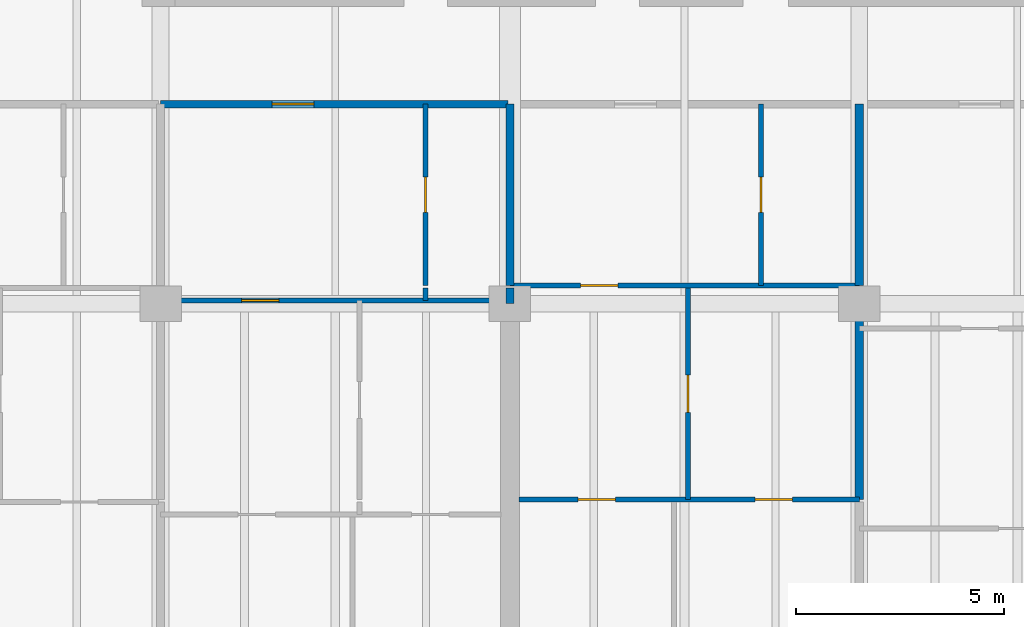
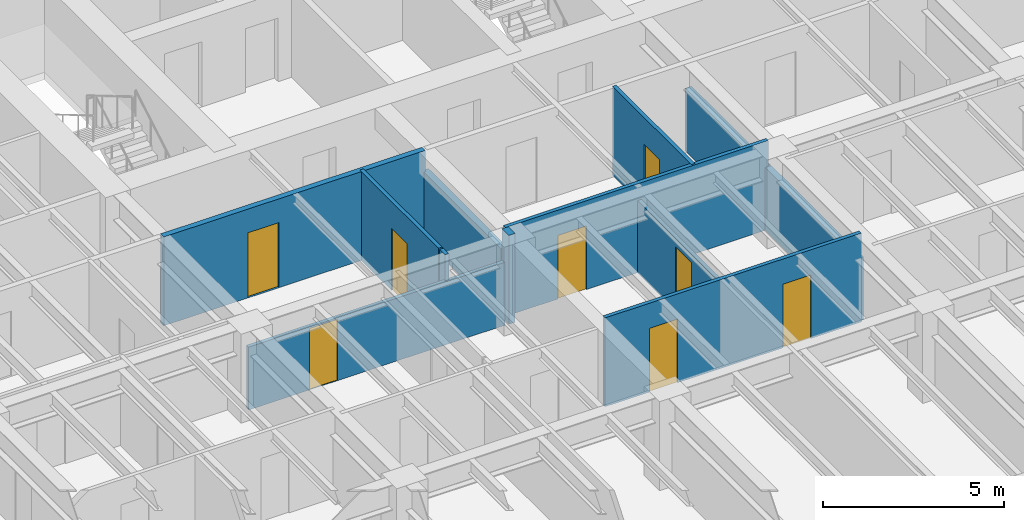
# One storey, part 7 of 16: 12 walls, 8 doors, 8 openings.
"""IFC4 building model written with IfcOpenShell, lengths in metres."""

import ifcopenshell
import ifcopenshell.guid

model = None  # the IFC model being written
_history = None  # IfcOwnerHistory: only IFC2X3 demands one
_inside = {}  # id of a spatial element -> (the spatial element, [elements in it])
_under = {}  # id of a project, library or spatial element -> (it, [spatial elements below it])
_declared = {}  # id of a project -> (the project, [libraries it declares])
_typed = {}  # id of a type object -> (the type object, [elements of that type])
_made_of = {}  # id of a material, layer set ... -> (it, [elements and type objects made of it])


def new_model(schema):
    """Start an empty IFC model of exactly this schema.

    Asked for "IFC4X3", IfcOpenShell would pick the latest addendum, in which some entities
    have other attributes; the version numbers below select the first issue.
    IFC2X3 requires an IfcOwnerHistory on every rooted entity: one is made here for all.
    """
    global model, _history
    if schema == "IFC4X3":
        model = ifcopenshell.file(schema_version=(4, 3, 0, 0))
    else:
        model = ifcopenshell.file(schema=schema)
    _inside.clear()
    _under.clear()
    _declared.clear()
    _typed.clear()
    _made_of.clear()
    _history = None
    if model.schema == "IFC2X3":
        org = make("IfcOrganization", Name="unknown")
        user = make(
            "IfcPersonAndOrganization",
            ThePerson=make("IfcPerson", FamilyName="unknown"),
            TheOrganization=org,
        )
        app = make(
            "IfcApplication",
            ApplicationDeveloper=org,
            Version="unknown",
            ApplicationFullName="unknown",
            ApplicationIdentifier="unknown",
        )
        _history = make(
            "IfcOwnerHistory",
            OwningUser=user,
            OwningApplication=app,
            ChangeAction="ADDED",
            CreationDate=0,
        )
    return model


def make(cls, **values):
    """One entity of the class cls with the attributes given. An attribute that is None is left unset."""
    return model.create_entity(
        cls, **{name: value for name, value in values.items() if value is not None}
    )


def rooted(cls, **values):
    """An entity with a GlobalId (a new one), such as an element, a storey or a relation."""
    return make(cls, GlobalId=ifcopenshell.guid.new(), OwnerHistory=_history, **values)


def si_unit(unit_type, name, prefix=None):
    """IfcSIUnit, for example si_unit("LENGTHUNIT", "METRE", prefix="MILLI")."""
    return make("IfcSIUnit", UnitType=unit_type, Prefix=prefix, Name=name)


def assignment(units):
    """IfcUnitAssignment: the units of a project."""
    return None if units is None else make("IfcUnitAssignment", Units=units)


def point(xyz):
    """IfcCartesianPoint."""
    return None if xyz is None else make("IfcCartesianPoint", Coordinates=xyz)


def direction(xyz):
    """IfcDirection."""
    return None if xyz is None else make("IfcDirection", DirectionRatios=xyz)


def frame(location, z_axis=None, x_axis=None):
    """IfcAxis2Placement3D, a coordinate frame: its origin and axes. An axis left out is left unset."""
    return make(
        "IfcAxis2Placement3D",
        Location=point(location),
        Axis=direction(z_axis),
        RefDirection=direction(x_axis),
    )


def frame_2d(location, x_axis=None):
    """IfcAxis2Placement2D, a coordinate frame in the plane: its origin and x axis."""
    return make(
        "IfcAxis2Placement2D", Location=point(location), RefDirection=direction(x_axis)
    )


def origin():
    """The frame at (0, 0, 0) with its axes left unset."""
    return frame((0.0, 0.0, 0.0))


def place(relative_to, where):
    """IfcLocalPlacement: puts the frame where relative to a parent placement (None: the world)."""
    return make(
        "IfcLocalPlacement", PlacementRelTo=relative_to, RelativePlacement=where
    )


def context(
    kind, dimensions, precision=None, world=None, true_north=None, identifier=None
):
    """IfcGeometricRepresentationContext, for example the 3D "Model" context."""
    return make(
        "IfcGeometricRepresentationContext",
        ContextIdentifier=identifier,
        ContextType=kind,
        CoordinateSpaceDimension=dimensions,
        Precision=precision,
        WorldCoordinateSystem=world,
        TrueNorth=true_north,
    )


def subcontext(parent, identifier, kind, view, scale=None):
    """IfcGeometricRepresentationSubContext, for example "Body" below "Model"."""
    return make(
        "IfcGeometricRepresentationSubContext",
        ContextIdentifier=identifier,
        ContextType=kind,
        ParentContext=parent,
        TargetScale=scale,
        TargetView=view,
    )


def project(units=None, contexts=None):
    """IfcProject with its units and contexts."""
    return rooted(
        "IfcProject",
        Name="project",
        RepresentationContexts=contexts,
        UnitsInContext=assignment(units),
    )


def spatial(cls, under=None, at=None, **own):
    """A site, building, storey or space (cls), placed at a placement, below another one or the project."""
    s = rooted(cls, ObjectPlacement=at, **own)
    if under is not None:
        _under.setdefault(under.id(), (under, []))[1].append(s)
    return s


def profile(cls, at=None, kind="AREA", **sizes):
    """A parametric profile (cls). Its sizes go by their IFC names, for example OverallWidth=200.0."""
    return make(cls, ProfileType=kind, Position=at, **sizes)


def rectangle(**sizes):
    """IfcRectangleProfileDef."""
    return profile("IfcRectangleProfileDef", **sizes)


def extrude(swept, where, along, depth):
    """IfcExtrudedAreaSolid: the profile swept, set in the frame where, extruded along a direction by depth."""
    return make(
        "IfcExtrudedAreaSolid",
        SweptArea=swept,
        Position=where,
        ExtrudedDirection=direction(along),
        Depth=depth,
    )


def shape(context_of_items, identifier, shape_type, items):
    """IfcShapeRepresentation: the items that make up one representation, for example the "Body"."""
    return make(
        "IfcShapeRepresentation",
        ContextOfItems=context_of_items,
        RepresentationIdentifier=identifier,
        RepresentationType=shape_type,
        Items=items,
    )


def material(Name=None, Category=None):
    """IfcMaterial."""
    return make("IfcMaterial", Name=Name, Category=Category)


def layer(
    of_material, thickness, ventilated=None, Name=None, Category=None, Priority=None
):
    """IfcMaterialLayer: one layer of a wall or slab, of a material (None: an air gap)."""
    return make(
        "IfcMaterialLayer",
        Material=of_material,
        LayerThickness=thickness,
        IsVentilated=ventilated,
        Name=Name,
        Category=Category,
        Priority=Priority,
    )


def layer_set(layers, Name=None):
    """IfcMaterialLayerSet."""
    return make("IfcMaterialLayerSet", MaterialLayers=layers, LayerSetName=Name)


def made_of(thing, what):
    """Note that an element or type object is made of a material, layer set ...; save() writes the relation."""
    if what is not None:
        _made_of.setdefault(what.id(), (what, []))[1].append(thing)
    return thing


def type_object(cls, material=None, **own):
    """A type object (cls), such as IfcWallType, which elements share."""
    return made_of(rooted(cls, **own), material)


def element(
    cls,
    number,
    at=None,
    inside=None,
    cuts=None,
    type_object=None,
    material=None,
    context=None,
    identifier="Body",
    shape_type=None,
    held_by="IfcProductDefinitionShape",
    body=None,
    shapes=None,
    **own,
):
    """One element of the class cls, such as IfcWall. Its Tag is "e" and its number.

    at: its placement. inside: the storey or other place that contains it. cuts: it is an
    opening in that element (IfcRelVoidsElement). A single representation is given by context,
    identifier, shape_type and body (its items); several are given by shapes. held_by: the class
    of the entity that holds the representations. save() writes the other relations.
    """
    e = rooted(cls, Tag="e%d" % number, ObjectPlacement=at, **own)
    if body is not None:
        shapes = [shape(context, identifier, shape_type, body)]
    if shapes is not None:
        e.Representation = make(held_by, Representations=shapes)
    if inside is not None:
        _inside.setdefault(inside.id(), (inside, []))[1].append(e)
    if cuts is not None:
        rooted(
            "IfcRelVoidsElement", RelatingBuildingElement=cuts, RelatedOpeningElement=e
        )
    if type_object is not None:
        _typed.setdefault(type_object.id(), (type_object, []))[1].append(e)
    return made_of(e, material)


def fill(opening, filler):
    """IfcRelFillsElement: the door or window that sits in an opening."""
    return rooted(
        "IfcRelFillsElement",
        RelatingOpeningElement=opening,
        RelatedBuildingElement=filler,
    )


def aggregate(whole, parts):
    """IfcRelAggregates: a whole, such as a stair, and the parts it consists of."""
    return rooted("IfcRelAggregates", RelatingObject=whole, RelatedObjects=parts)


def save(model, path):
    """Write the relations noted so far, then the file.

    IfcRelAggregates (storeys below a building ...), IfcRelContainedInSpatialStructure (elements
    in a storey), IfcRelDefinesByType, IfcRelAssociatesMaterial and IfcRelDeclares: one each for
    every whole, place, type object, material and project.
    """
    for whole, parts in _under.values():
        aggregate(whole, parts)
    for where, things in _inside.values():
        rooted(
            "IfcRelContainedInSpatialStructure",
            RelatedElements=things,
            RelatingStructure=where,
        )
    for kind, things in _typed.values():
        rooted("IfcRelDefinesByType", RelatedObjects=things, RelatingType=kind)
    for what, things in _made_of.values():
        rooted("IfcRelAssociatesMaterial", RelatedObjects=things, RelatingMaterial=what)
    for by, libraries in _declared.values():
        rooted("IfcRelDeclares", RelatingContext=by, RelatedDefinitions=libraries)
    model.write(path)


model = new_model("IFC4")

# Units and contexts
model_context = context("Model", 3, precision=1e-05, world=origin(), true_north=direction((0.0, 1.0)))
body_context = subcontext(model_context, "Body", "Model", "MODEL_VIEW")
ifc_project = project(units=[si_unit("LENGTHUNIT", "METRE"), si_unit("AREAUNIT", "SQUARE_METRE"), si_unit("VOLUMEUNIT", "CUBIC_METRE"), si_unit("PLANEANGLEUNIT", "RADIAN"), si_unit("MASSUNIT", "GRAM", prefix="KILO")], contexts=[model_context])

# Site, building, storey
site_placement = place(None, origin())
site = spatial("IfcSite", under=ifc_project, at=site_placement, CompositionType="ELEMENT")
building_placement = place(site_placement, origin())
building = spatial("IfcBuilding", under=site, at=building_placement, Name="Caelmar Bay Residences", CompositionType="ELEMENT")
storey_placement = place(building_placement, frame((0.0, 0.0, 148.800048828125)))
storey = spatial("IfcBuildingStorey", under=building, at=storey_placement, Name="L41", CompositionType="ELEMENT", Elevation=148.800048828125)

# Wall, opening, door
ifc_material_1 = material(Name="Double-stud acoustic fire-rated gypsum partition 180 mm")
ifc_layer_1 = layer(ifc_material_1, 0.179931640625)
ifc_layer_set_1 = layer_set([ifc_layer_1], Name="Double-stud acoustic fire-rated gypsum partition 180 mm")
wall_type_1 = type_object("IfcWallType", Name="W-COR-200", PredefinedType="PARTITIONING", material=ifc_layer_set_1)
wall_1_placement = place(storey_placement, frame((18.300048828125, 34.199951171875, 0.0), z_axis=(0.0, 0.0, 1.0), x_axis=(1.0, 0.0, 0.0)))
wall_1 = element("IfcWall", 1, at=wall_1_placement, inside=storey, type_object=wall_type_1, Name="L41 Partition Wall H111", PredefinedType="PARTITIONING", context=body_context, shape_type="SweptSolid", body=[
    extrude(rectangle(XDim=8.349853515625, YDim=0.179931640625, at=frame_2d((4.1748046875, 0.0))), origin(), (0.0, 0.0, 1.0), 3.0),
])
opening_1_placement = place(wall_1_placement, frame((2.68310546875, 0.0, 0.0)))
opening_1 = element("IfcOpeningElement", 2, at=opening_1_placement, cuts=wall_1, Name="Opening D-L41-132", PredefinedType="OPENING", context=body_context, shape_type="SweptSolid", body=[
    extrude(rectangle(XDim=1.0, YDim=2.199951171875, at=frame_2d((0.5, 1.10009765625))), frame((0.0, 0.099853515625, 0.0), z_axis=(0.0, -1.0, 0.0), x_axis=(1.0, 0.0, 0.0)), (0.0, 0.0, 1.0), 0.199951171875),
])
ifc_material_2 = material(Name="Fire-rated steel and walnut architectural door assembly", Category="steel")
ifc_layer_2 = layer(ifc_material_2, 0.050048828125)
ifc_layer_set_2 = layer_set([ifc_layer_2], Name="Fire-rated steel and walnut architectural door assembly")
door_type_1 = type_object("IfcDoorType", Name="D-UNIT-1000", OperationType="NOTDEFINED", PredefinedType="DOOR", material=ifc_layer_set_2)
door_1_placement = place(opening_1_placement, origin())
door_1 = element("IfcDoor", 3, at=door_1_placement, inside=storey, type_object=door_type_1, Name="L41 Residence 02 Apartment Hall Door", OperationType="SINGLE_SWING_LEFT", OverallHeight=2.199951171875, OverallWidth=1.0, PredefinedType="DOOR", context=body_context, shape_type="SweptSolid", body=[
    extrude(rectangle(XDim=1.0, YDim=2.199951171875, at=frame_2d((0.5, 1.10009765625))), frame((0.0, 0.02490234375, 0.0), z_axis=(0.0, -1.0, 0.0), x_axis=(1.0, 0.0, 0.0)), (0.0, 0.0, 1.0), 0.050048828125),
])
fill(opening_1, door_1)

# Wall
ifc_material_3 = material(Name="Acoustic metal-stud gypsum partition 120 mm")
ifc_layer_3 = layer(ifc_material_3, 0.1201171875)
ifc_layer_set_3 = layer_set([ifc_layer_3], Name="Acoustic metal-stud gypsum partition 120 mm")
wall_type_2 = type_object("IfcWallType", Name="W-PRT-120", PredefinedType="PARTITIONING", material=ifc_layer_set_3)
wall_2_placement = place(storey_placement, frame((24.666015625, 29.47998046875, 0.0), z_axis=(0.0, 0.0, 1.0), x_axis=(0.0, 1.0, 0.0)))
element("IfcWall", 4, at=wall_2_placement, inside=storey, type_object=wall_type_2, Name="L41 Partition Wall V026", PredefinedType="PARTITIONING", context=body_context, shape_type="SweptSolid", body=[
    extrude(rectangle(XDim=0.300048828125, YDim=0.1201171875, at=frame_2d((0.14990234375, 0.0))), origin(), (0.0, 0.0, 1.0), 3.0),
])

# Wall, opening, door
wall_3_placement = place(storey_placement, frame((24.666015625, 29.840087890625, 0.0), z_axis=(0.0, 0.0, 1.0), x_axis=(0.0, 1.0, 0.0)))
wall_3 = element("IfcWall", 5, at=wall_3_placement, inside=storey, type_object=wall_type_2, Name="L41 Partition Wall V027", PredefinedType="PARTITIONING", context=body_context, shape_type="SweptSolid", body=[
    extrude(rectangle(XDim=4.35986328125, YDim=0.1201171875, at=frame_2d((2.179931640625, 0.0))), origin(), (0.0, 0.0, 1.0), 3.0),
])
opening_2_placement = place(wall_3_placement, frame((1.7548828125, 0.0, 0.0)))
opening_2 = element("IfcOpeningElement", 6, at=opening_2_placement, cuts=wall_3, Name="Opening D-L41-133", PredefinedType="OPENING", context=body_context, shape_type="SweptSolid", body=[
    extrude(rectangle(XDim=0.85009765625, YDim=2.10009765625, at=frame_2d((0.425048828125, 1.050048828125))), frame((0.0, 0.070068359375, 0.0), z_axis=(0.0, -1.0, 0.0), x_axis=(1.0, 0.0, 0.0)), (0.0, 0.0, 1.0), 0.14013671875),
])
ifc_material_4 = material(Name="Solid walnut timber interior door leaf and frame", Category="wood")
ifc_layer_4 = layer(ifc_material_4, 0.050048828125)
ifc_layer_set_4 = layer_set([ifc_layer_4], Name="Solid walnut timber interior door leaf and frame")
door_type_2 = type_object("IfcDoorType", Name="D-BATH-850", OperationType="NOTDEFINED", PredefinedType="DOOR", material=ifc_layer_set_4)
door_2_placement = place(opening_2_placement, origin())
door_2 = element("IfcDoor", 7, at=door_2_placement, inside=storey, type_object=door_type_2, Name="L41 Residence 02 Bathroom Door", OperationType="SINGLE_SWING_RIGHT", OverallHeight=2.10009765625, OverallWidth=0.85009765625, PredefinedType="DOOR", context=body_context, shape_type="SweptSolid", body=[
    extrude(rectangle(XDim=0.85009765625, YDim=2.10009765625, at=frame_2d((0.425048828125, 1.050048828125))), frame((0.0, 0.02490234375, 0.0), z_axis=(0.0, -1.0, 0.0), x_axis=(1.0, 0.0, 0.0)), (0.0, 0.0, 1.0), 0.050048828125),
])
fill(opening_2, door_2)

wall_4_placement = place(storey_placement, frame((30.986083984375, 24.68994140625, 0.0), z_axis=(0.0, 0.0, 1.0), x_axis=(0.0, 1.0, 0.0)))
wall_4 = element("IfcWall", 8, at=wall_4_placement, inside=storey, type_object=wall_type_2, Name="L41 Partition Wall V038", PredefinedType="PARTITIONING", context=body_context, shape_type="SweptSolid", body=[
    extrude(rectangle(XDim=5.090087890625, YDim=0.1201171875, at=frame_2d((2.544921875, 0.0))), origin(), (0.0, 0.0, 1.0), 2.43603515625),
])
opening_3_placement = place(wall_4_placement, frame((2.094970703125, 0.0, 0.0)))
opening_3 = element("IfcOpeningElement", 9, at=opening_3_placement, cuts=wall_4, Name="Opening D-L41-142", PredefinedType="OPENING", context=body_context, shape_type="SweptSolid", body=[
    extrude(rectangle(XDim=0.89990234375, YDim=2.14990234375, at=frame_2d((0.449951171875, 1.074951171875))), frame((0.0, 0.070068359375, 0.0), z_axis=(0.0, -1.0, 0.0), x_axis=(1.0, 0.0, 0.0)), (0.0, 0.0, 1.0), 0.14013671875),
])
ifc_layer_5 = layer(ifc_material_4, 0.050048828125)
ifc_layer_set_5 = layer_set([ifc_layer_5], Name="Solid walnut timber interior door leaf and frame")
door_type_3 = type_object("IfcDoorType", Name="D-ROOM-900", OperationType="NOTDEFINED", PredefinedType="DOOR", material=ifc_layer_set_5)
door_3_placement = place(opening_3_placement, origin())
door_3 = element("IfcDoor", 10, at=door_3_placement, inside=storey, type_object=door_type_3, Name="L41 Residence 03 Curator Office Door", OperationType="SINGLE_SWING_LEFT", OverallHeight=2.14990234375, OverallWidth=0.89990234375, PredefinedType="DOOR", context=body_context, shape_type="SweptSolid", body=[
    extrude(rectangle(XDim=0.89990234375, YDim=2.14990234375, at=frame_2d((0.449951171875, 1.074951171875))), frame((0.0, 0.02490234375, 0.0), z_axis=(0.0, -1.0, 0.0), x_axis=(1.0, 0.0, 0.0)), (0.0, 0.0, 1.0), 0.050048828125),
])
fill(opening_3, door_3)

wall_5_placement = place(storey_placement, frame((32.738037109375, 29.840087890625, 0.0), z_axis=(0.0, 0.0, 1.0), x_axis=(0.0, 1.0, 0.0)))
wall_5 = element("IfcWall", 11, at=wall_5_placement, inside=storey, type_object=wall_type_2, Name="L41 Partition Wall V040", PredefinedType="PARTITIONING", context=body_context, shape_type="SweptSolid", body=[
    extrude(rectangle(XDim=4.35986328125, YDim=0.1201171875, at=frame_2d((2.179931640625, 0.0))), origin(), (0.0, 0.0, 1.0), 3.0),
])
opening_4_placement = place(wall_5_placement, frame((1.7548828125, 0.0, 0.0)))
opening_4 = element("IfcOpeningElement", 12, at=opening_4_placement, cuts=wall_5, Name="Opening D-L41-140", PredefinedType="OPENING", context=body_context, shape_type="SweptSolid", body=[
    extrude(rectangle(XDim=0.85009765625, YDim=2.10009765625, at=frame_2d((0.425048828125, 1.050048828125))), frame((0.0, 0.070068359375, 0.0), z_axis=(0.0, -1.0, 0.0), x_axis=(1.0, 0.0, 0.0)), (0.0, 0.0, 1.0), 0.14013671875),
])
door_4_placement = place(opening_4_placement, origin())
door_4 = element("IfcDoor", 13, at=door_4_placement, inside=storey, type_object=door_type_2, Name="L41 Residence 03 Bathroom Door", OperationType="SINGLE_SWING_LEFT", OverallHeight=2.10009765625, OverallWidth=0.85009765625, PredefinedType="DOOR", context=body_context, shape_type="SweptSolid", body=[
    extrude(rectangle(XDim=0.85009765625, YDim=2.10009765625, at=frame_2d((0.425048828125, 1.050048828125))), frame((0.0, 0.02490234375, 0.0), z_axis=(0.0, -1.0, 0.0), x_axis=(1.0, 0.0, 0.0)), (0.0, 0.0, 1.0), 0.050048828125),
])
fill(opening_4, door_4)

# Wall, openings, doors
wall_6_placement = place(storey_placement, frame((26.919921875, 24.68994140625, 0.0), z_axis=(0.0, 0.0, 1.0), x_axis=(1.0, 0.0, 0.0)))
wall_6 = element("IfcWall", 14, at=wall_6_placement, inside=storey, type_object=wall_type_2, Name="L41 Partition Wall H101", PredefinedType="PARTITIONING", context=body_context, shape_type="SweptSolid", body=[
    extrude(rectangle(XDim=8.18017578125, YDim=0.1201171875, at=frame_2d((4.090087890625, 0.0))), origin(), (0.0, 0.0, 1.0), 3.0),
])
opening_5_placement = place(wall_6_placement, frame((1.4140625, 0.0, 0.0)))
opening_5 = element("IfcOpeningElement", 15, at=opening_5_placement, cuts=wall_6, Name="Opening D-L41-143", PredefinedType="OPENING", context=body_context, shape_type="SweptSolid", body=[
    extrude(rectangle(XDim=0.89990234375, YDim=2.14990234375, at=frame_2d((0.449951171875, 1.074951171875))), frame((0.0, 0.070068359375, 0.0), z_axis=(0.0, -1.0, 0.0), x_axis=(1.0, 0.0, 0.0)), (0.0, 0.0, 1.0), 0.14013671875),
])
opening_6_placement = place(wall_6_placement, frame((5.673095703125, 0.0, 0.0)))
opening_6 = element("IfcOpeningElement", 16, at=opening_6_placement, cuts=wall_6, Name="Opening D-L41-144", PredefinedType="OPENING", context=body_context, shape_type="SweptSolid", body=[
    extrude(rectangle(XDim=0.89990234375, YDim=2.14990234375, at=frame_2d((0.449951171875, 1.074951171875))), frame((0.0, 0.070068359375, 0.0), z_axis=(0.0, -1.0, 0.0), x_axis=(1.0, 0.0, 0.0)), (0.0, 0.0, 1.0), 0.14013671875),
])
door_5_placement = place(opening_5_placement, origin())
door_5 = element("IfcDoor", 17, at=door_5_placement, inside=storey, type_object=door_type_3, Name="L41 Residence 03 Living Room Door", OperationType="SINGLE_SWING_RIGHT", OverallHeight=2.14990234375, OverallWidth=0.89990234375, PredefinedType="DOOR", context=body_context, shape_type="SweptSolid", body=[
    extrude(rectangle(XDim=0.89990234375, YDim=2.14990234375, at=frame_2d((0.449951171875, 1.074951171875))), frame((0.0, 0.02490234375, 0.0), z_axis=(0.0, -1.0, 0.0), x_axis=(1.0, 0.0, 0.0)), (0.0, 0.0, 1.0), 0.050048828125),
])
fill(opening_5, door_5)
door_6_placement = place(opening_6_placement, origin())
door_6 = element("IfcDoor", 18, at=door_6_placement, inside=storey, type_object=door_type_3, Name="L41 Residence 03 Penthouse Sitting Room Door", OperationType="SINGLE_SWING_LEFT", OverallHeight=2.14990234375, OverallWidth=0.89990234375, PredefinedType="DOOR", context=body_context, shape_type="SweptSolid", body=[
    extrude(rectangle(XDim=0.89990234375, YDim=2.14990234375, at=frame_2d((0.449951171875, 1.074951171875))), frame((0.0, 0.02490234375, 0.0), z_axis=(0.0, -1.0, 0.0), x_axis=(1.0, 0.0, 0.0)), (0.0, 0.0, 1.0), 0.050048828125),
])
fill(opening_6, door_6)

# Wall, opening, door
wall_7_placement = place(storey_placement, frame((18.300048828125, 29.47998046875, 0.0), z_axis=(0.0, 0.0, 1.0), x_axis=(1.0, 0.0, 0.0)))
wall_7 = element("IfcWall", 19, at=wall_7_placement, inside=storey, type_object=wall_type_2, Name="L41 Partition Wall H106", PredefinedType="PARTITIONING", context=body_context, shape_type="SweptSolid", body=[
    extrude(rectangle(XDim=8.179931640625, YDim=0.1201171875, at=frame_2d((4.08984375, 0.0))), origin(), (0.0, 0.0, 1.0), 2.1240234375),
])
opening_7_placement = place(wall_7_placement, frame((1.943115234375, 0.0, 0.0)))
opening_7 = element("IfcOpeningElement", 20, at=opening_7_placement, cuts=wall_7, Name="Opening D-L41-134", PredefinedType="OPENING", context=body_context, shape_type="SweptSolid", body=[
    extrude(rectangle(XDim=0.89990234375, YDim=2.073974609375, at=frame_2d((0.449951171875, 1.037109375))), frame((0.0, 0.070068359375, 0.0), z_axis=(0.0, -1.0, 0.0), x_axis=(1.0, 0.0, 0.0)), (0.0, 0.0, 1.0), 0.14013671875),
])
door_7_placement = place(opening_7_placement, origin())
door_7 = element("IfcDoor", 21, at=door_7_placement, inside=storey, type_object=door_type_3, Name="L41 Residence 02 Kitchen Door", OperationType="SINGLE_SWING_LEFT", OverallHeight=2.073974609375, OverallWidth=0.89990234375, PredefinedType="DOOR", context=body_context, shape_type="SweptSolid", body=[
    extrude(rectangle(XDim=0.89990234375, YDim=2.073974609375, at=frame_2d((0.449951171875, 1.037109375))), frame((0.0, 0.02490234375, 0.0), z_axis=(0.0, -1.0, 0.0), x_axis=(1.0, 0.0, 0.0)), (0.0, 0.0, 1.0), 0.050048828125),
])
fill(opening_7, door_7)

wall_8_placement = place(storey_placement, frame((26.699951171875, 29.840087890625, 0.0), z_axis=(0.0, 0.0, 1.0), x_axis=(1.0, 0.0, 0.0)))
wall_8 = element("IfcWall", 22, at=wall_8_placement, inside=storey, type_object=wall_type_2, Name="L41 Partition Wall H108", PredefinedType="PARTITIONING", context=body_context, shape_type="SweptSolid", body=[
    extrude(rectangle(XDim=8.400146484375, YDim=0.1201171875, at=frame_2d((4.2001953125, 0.0))), origin(), (0.0, 0.0, 1.0), 3.0),
])
opening_8_placement = place(wall_8_placement, frame((1.693115234375, 0.0, 0.0)))
opening_8 = element("IfcOpeningElement", 23, at=opening_8_placement, cuts=wall_8, Name="Opening D-L41-141", PredefinedType="OPENING", context=body_context, shape_type="SweptSolid", body=[
    extrude(rectangle(XDim=0.89990234375, YDim=2.14990234375, at=frame_2d((0.449951171875, 1.074951171875))), frame((0.0, 0.070068359375, 0.0), z_axis=(0.0, -1.0, 0.0), x_axis=(1.0, 0.0, 0.0)), (0.0, 0.0, 1.0), 0.14013671875),
])
door_8_placement = place(opening_8_placement, origin())
door_8 = element("IfcDoor", 24, at=door_8_placement, inside=storey, type_object=door_type_3, Name="L41 Residence 03 Kitchen Door", OperationType="SINGLE_SWING_RIGHT", OverallHeight=2.14990234375, OverallWidth=0.89990234375, PredefinedType="DOOR", context=body_context, shape_type="SweptSolid", body=[
    extrude(rectangle(XDim=0.89990234375, YDim=2.14990234375, at=frame_2d((0.449951171875, 1.074951171875))), frame((0.0, 0.02490234375, 0.0), z_axis=(0.0, -1.0, 0.0), x_axis=(1.0, 0.0, 0.0)), (0.0, 0.0, 1.0), 0.050048828125),
])
fill(opening_8, door_8)

# Walls
ifc_material_5 = material(Name="Acoustic twin-stud fire-rated inter-tenancy partition 200 mm")
ifc_layer_6 = layer(ifc_material_5, 0.199951171875)
ifc_layer_set_6 = layer_set([ifc_layer_6], Name="Acoustic twin-stud fire-rated inter-tenancy partition 200 mm")
wall_type_3 = type_object("IfcWallType", Name="W-PTY-200", PredefinedType="PARTITIONING", material=ifc_layer_set_6)
wall_9_placement = place(storey_placement, frame((26.699951171875, 29.405029296875, 0.0), z_axis=(0.0, 0.0, 1.0), x_axis=(0.0, 1.0, 0.0)))
element("IfcWall", 25, at=wall_9_placement, inside=storey, type_object=wall_type_3, Name="L41 Partition Wall V032", PredefinedType="PARTITIONING", context=body_context, shape_type="SweptSolid", body=[
    extrude(rectangle(XDim=0.375, YDim=0.199951171875, at=frame_2d((0.1875, 0.0))), origin(), (0.0, 0.0, 1.0), 3.0),
])
wall_10_placement = place(storey_placement, frame((26.699951171875, 29.840087890625, 0.0), z_axis=(0.0, 0.0, 1.0), x_axis=(0.0, 1.0, 0.0)))
element("IfcWall", 26, at=wall_10_placement, inside=storey, type_object=wall_type_3, Name="L41 Partition Wall V033", PredefinedType="PARTITIONING", context=body_context, shape_type="SweptSolid", body=[
    extrude(rectangle(XDim=4.35986328125, YDim=0.199951171875, at=frame_2d((2.179931640625, 0.0))), origin(), (0.0, 0.0, 1.0), 2.284912109375),
])
wall_11_placement = place(storey_placement, frame((35.10009765625, 24.68994140625, 0.0), z_axis=(0.0, 0.0, 1.0), x_axis=(0.0, 1.0, 0.0)))
element("IfcWall", 27, at=wall_11_placement, inside=storey, type_object=wall_type_3, Name="L41 Partition Wall V043", PredefinedType="PARTITIONING", context=body_context, shape_type="SweptSolid", body=[
    extrude(rectangle(XDim=5.090087890625, YDim=0.199951171875, at=frame_2d((2.544921875, 0.0))), origin(), (0.0, 0.0, 1.0), 2.1240234375),
])
wall_12_placement = place(storey_placement, frame((35.10009765625, 29.840087890625, 0.0), z_axis=(0.0, 0.0, 1.0), x_axis=(0.0, 1.0, 0.0)))
element("IfcWall", 28, at=wall_12_placement, inside=storey, type_object=wall_type_3, Name="L41 Partition Wall V044", PredefinedType="PARTITIONING", context=body_context, shape_type="SweptSolid", body=[
    extrude(rectangle(XDim=4.35986328125, YDim=0.199951171875, at=frame_2d((2.179931640625, 0.0))), origin(), (0.0, 0.0, 1.0), 2.1240234375),
])

save(model, "model.ifc")
